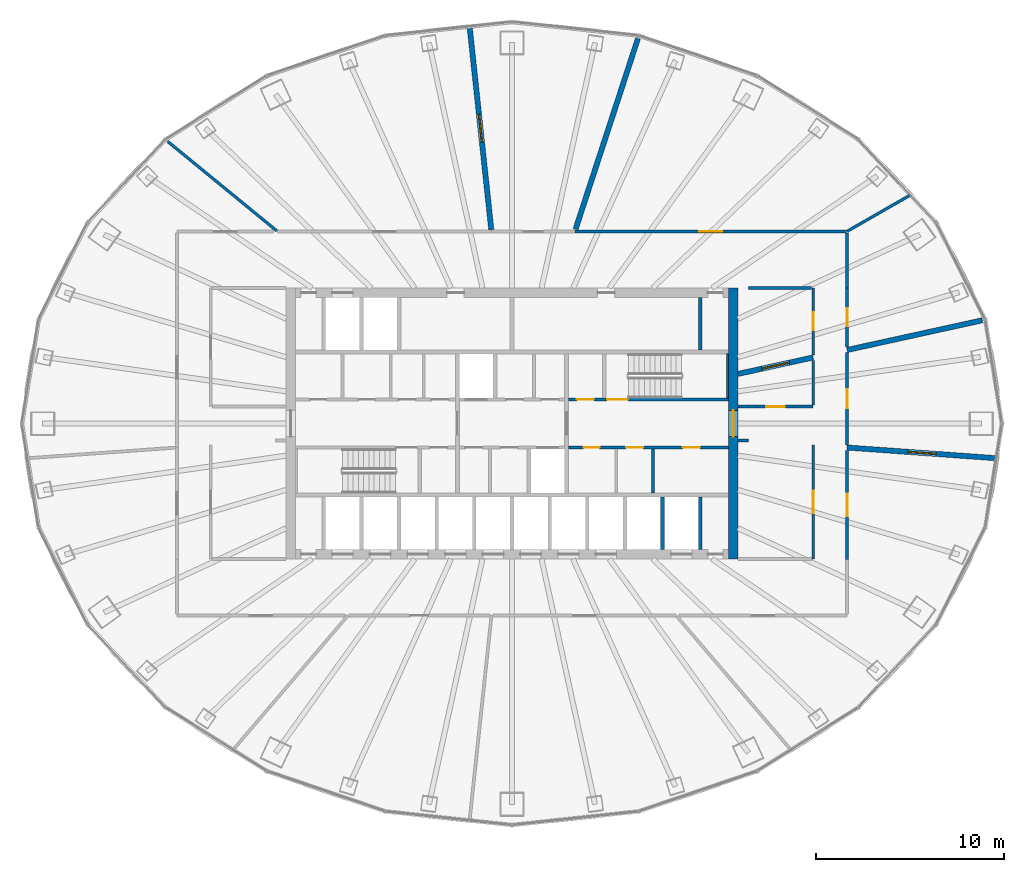
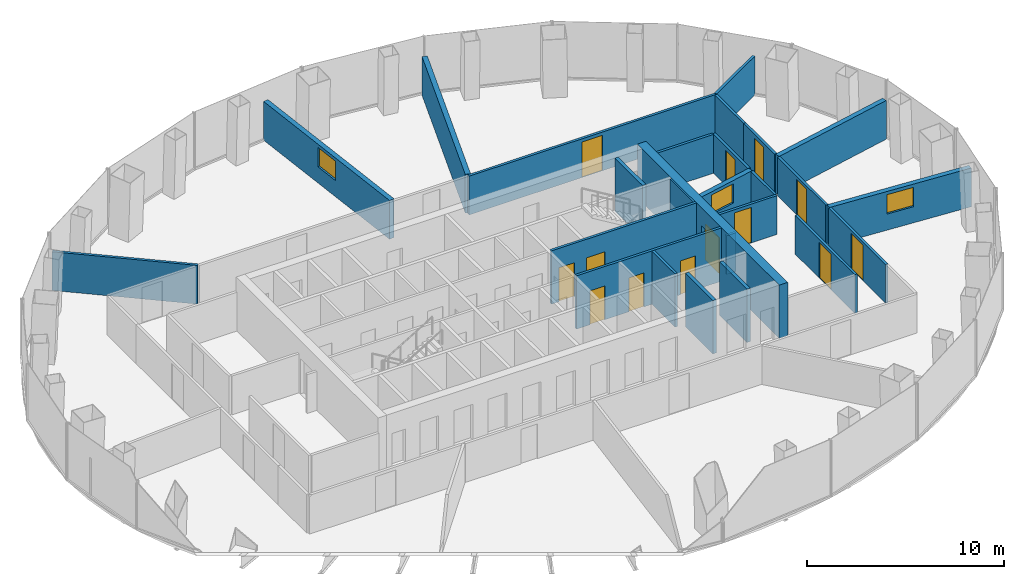
# One storey, part 10 of 12: 26 walls, 13 doors, 3 windows, 16 openings.
"""IFC4 building model written with IfcOpenShell, lengths in metres."""

from ifc_helpers import new_model, si_unit, direction, frame, frame_2d, origin, place, context, subcontext, project, spatial, rectangle, extrude, material, layer, layer_set, type_object, element, fill, save


model = new_model("IFC4")

# Units and contexts
model_context = context("Model", 3, precision=1e-05, world=origin(), true_north=direction((0.0, 1.0)))
body_context = subcontext(model_context, "Body", "Model", "MODEL_VIEW")
ifc_project = project(units=[si_unit("LENGTHUNIT", "METRE"), si_unit("AREAUNIT", "SQUARE_METRE"), si_unit("VOLUMEUNIT", "CUBIC_METRE"), si_unit("PLANEANGLEUNIT", "RADIAN"), si_unit("MASSUNIT", "GRAM", prefix="KILO")], contexts=[model_context])

# Site, building, storey
site_placement = place(None, origin())
site = spatial("IfcSite", under=ifc_project, at=site_placement, CompositionType="ELEMENT")
building_placement = place(site_placement, origin())
building = spatial("IfcBuilding", under=site, at=building_placement, Name="Siaravel Broadcast Tower", CompositionType="ELEMENT")
storey_placement = place(building_placement, frame((0.0, 0.0, 100.800048828125)))
storey = spatial("IfcBuildingStorey", under=building, at=storey_placement, Name="L23", CompositionType="ELEMENT", Elevation=100.800048828125)

# Wall, opening, window
ifc_material_1 = material(Name="Double-leaf acoustic partition", Category="gypsum")
ifc_layer_1 = layer(ifc_material_1, 0.280029296875)
ifc_layer_set_1 = layer_set([ifc_layer_1], Name="Double-leaf acoustic partition")
wall_type_1 = type_object("IfcWallType", Name="Acoustic double-leaf wall 280", PredefinedType="PARTITIONING", material=ifc_layer_set_1)
wall_1_placement = place(storey_placement, frame((-1.09912109375, 10.2919921875, 0.0), z_axis=(0.0, 0.0, 1.0), x_axis=(-0.106202827, 0.994344487, 0.0)))
wall_1 = element("IfcWall", 1, at=wall_1_placement, inside=storey, type_object=wall_type_1, Name="L23 partition 4", PredefinedType="PARTITIONING", context=body_context, shape_type="SweptSolid", body=[
    extrude(rectangle(XDim=10.857421875, YDim=0.280029296875, at=frame_2d((5.4287109375, 0.0))), origin(), (0.0, 0.0, 1.0), 2.39990234375),
])
opening_1_placement = place(wall_1_placement, frame((4.6787109375, 0.0, 1.0)))
opening_1 = element("IfcOpeningElement", 2, at=opening_1_placement, cuts=wall_1, Name="Opening L23-W03", PredefinedType="OPENING", context=body_context, shape_type="SweptSolid", body=[
    extrude(rectangle(XDim=1.5, YDim=1.199951171875, at=frame_2d((0.75, 0.60009765625))), frame((0.0, 0.14990234375, 0.0), z_axis=(0.0, -1.0, 0.0), x_axis=(1.0, 0.0, 0.0)), (0.0, 0.0, 1.0), 0.300048828125),
])
ifc_material_2 = material(Name="Laminated acoustic glass", Category="glass")
window_type = type_object("IfcWindowType", Name="Studio viewing window 1500", PartitioningType="SINGLE_PANEL", PredefinedType="WINDOW", material=ifc_material_2)
window_1_placement = place(opening_1_placement, origin())
window_1 = element("IfcWindow", 3, at=window_1_placement, inside=storey, type_object=window_type, Name="L23 viewing window to Viewing theatre", OverallHeight=1.199951171875, OverallWidth=1.5, PartitioningType="SINGLE_PANEL", PredefinedType="WINDOW", context=body_context, shape_type="SweptSolid", body=[
    extrude(rectangle(XDim=1.5, YDim=1.199951171875, at=frame_2d((0.75, 0.60009765625))), frame((0.0, 0.030029296875, 0.0), z_axis=(0.0, -1.0, 0.0), x_axis=(1.0, 0.0, 0.0)), (0.0, 0.0, 1.0), 0.06005859375),
])
fill(opening_1, window_1)

# Wall
wall_2_placement = place(storey_placement, frame((6.68896484375, 20.447998046875, 0.0), z_axis=(0.0, 0.0, 1.0), x_axis=(-0.310888923, -0.950446252, 0.0)))
element("IfcWall", 4, at=wall_2_placement, inside=storey, type_object=wall_type_1, Name="L23 partition 5", PredefinedType="PARTITIONING", context=body_context, shape_type="SweptSolid", body=[
    extrude(rectangle(XDim=10.65576171875, YDim=0.280029296875, at=frame_2d((5.327880859375, 0.0))), origin(), (0.0, 0.0, 1.0), 2.39990234375),
])

# Wall, opening, window
wall_3_placement = place(storey_placement, frame((25.77099609375, -1.8466796875, 0.0), z_axis=(0.0, 0.0, 1.0), x_axis=(-0.997443635, 0.071457645, 0.0)))
wall_3 = element("IfcWall", 5, at=wall_3_placement, inside=storey, type_object=wall_type_1, Name="L23 partition 12", PredefinedType="PARTITIONING", context=body_context, shape_type="SweptSolid", body=[
    extrude(rectangle(XDim=7.991455078125, YDim=0.280029296875, at=frame_2d((3.99560546875, 0.0))), origin(), (0.0, 0.0, 1.0), 2.39990234375),
])
opening_2_placement = place(wall_3_placement, frame((3.245849609375, 0.0, 1.0)))
opening_2 = element("IfcOpeningElement", 6, at=opening_2_placement, cuts=wall_3, Name="Opening L23-W02", PredefinedType="OPENING", context=body_context, shape_type="SweptSolid", body=[
    extrude(rectangle(XDim=1.5, YDim=1.199951171875, at=frame_2d((0.75, 0.60009765625))), frame((0.0, 0.14990234375, 0.0), z_axis=(0.0, -1.0, 0.0), x_axis=(1.0, 0.0, 0.0)), (0.0, 0.0, 1.0), 0.300048828125),
])
window_2_placement = place(opening_2_placement, origin())
window_2 = element("IfcWindow", 7, at=window_2_placement, inside=storey, type_object=window_type, Name="L23 viewing window to Viewing theatre", OverallHeight=1.199951171875, OverallWidth=1.5, PartitioningType="SINGLE_PANEL", PredefinedType="WINDOW", context=body_context, shape_type="SweptSolid", body=[
    extrude(rectangle(XDim=1.5, YDim=1.199951171875, at=frame_2d((0.75, 0.60009765625))), frame((0.0, 0.030029296875, 0.0), z_axis=(0.0, -1.0, 0.0), x_axis=(1.0, 0.0, 0.0)), (0.0, 0.0, 1.0), 0.06005859375),
])
fill(opening_2, window_2)

# Wall
wall_4_placement = place(storey_placement, frame((24.985595703125, 5.48388671875, 0.0), z_axis=(0.0, 0.0, 1.0), x_axis=(-0.976749089, -0.214385673, 0.0)))
element("IfcWall", 8, at=wall_4_placement, inside=storey, type_object=wall_type_1, Name="L23 partition 16", PredefinedType="PARTITIONING", context=body_context, shape_type="SweptSolid", body=[
    extrude(rectangle(XDim=7.356689453125, YDim=0.280029296875, at=frame_2d((3.67822265625, 0.0))), origin(), (0.0, 0.0, 1.0), 2.39990234375),
])

# Wall, opening, window
wall_5_placement = place(storey_placement, frame((16.0, 3.51171875, 0.0), z_axis=(0.0, 0.0, 1.0), x_axis=(-0.976750433, -0.214379551, 0.0)))
wall_5 = element("IfcWall", 9, at=wall_5_placement, inside=storey, type_object=wall_type_1, Name="L23 partition 25", PredefinedType="PARTITIONING", context=body_context, shape_type="SweptSolid", body=[
    extrude(rectangle(XDim=4.09521484375, YDim=0.280029296875, at=frame_2d((2.047607421875, 0.0))), origin(), (0.0, 0.0, 1.0), 2.39990234375),
])
opening_3_placement = place(wall_5_placement, frame((1.297607421875, 0.0, 1.0)))
opening_3 = element("IfcOpeningElement", 10, at=opening_3_placement, cuts=wall_5, Name="Opening L23-W01", PredefinedType="OPENING", context=body_context, shape_type="SweptSolid", body=[
    extrude(rectangle(XDim=1.5, YDim=1.199951171875, at=frame_2d((0.75, 0.60009765625))), frame((0.0, 0.14990234375, 0.0), z_axis=(0.0, -1.0, 0.0), x_axis=(1.0, 0.0, 0.0)), (0.0, 0.0, 1.0), 0.300048828125),
])
window_3_placement = place(opening_3_placement, origin())
window_3 = element("IfcWindow", 11, at=window_3_placement, inside=storey, type_object=window_type, Name="L23 viewing window to Viewing theatre", OverallHeight=1.199951171875, OverallWidth=1.5, PartitioningType="SINGLE_PANEL", PredefinedType="WINDOW", context=body_context, shape_type="SweptSolid", body=[
    extrude(rectangle(XDim=1.5, YDim=1.199951171875, at=frame_2d((0.75, 0.60009765625))), frame((0.0, 0.030029296875, 0.0), z_axis=(0.0, -1.0, 0.0), x_axis=(1.0, 0.0, 0.0)), (0.0, 0.0, 1.0), 0.06005859375),
])
fill(opening_3, window_3)

# Wall
ifc_material_3 = material(Name="Concrete blockwork", Category="masonry")
ifc_layer_2 = layer(ifc_material_3, 0.14990234375)
ifc_layer_set_2 = layer_set([ifc_layer_2], Name="Concrete blockwork")
wall_type_2 = type_object("IfcWallType", Name="Core partition 150", PredefinedType="PARTITIONING", material=ifc_layer_set_2)
wall_6_placement = place(storey_placement, frame((7.489013671875, -3.699951171875, 0.0), z_axis=(0.0, 0.0, 1.0), x_axis=(0.0, 1.0, 0.0)))
element("IfcWall", 12, at=wall_6_placement, inside=storey, type_object=wall_type_2, Name="L23 core partition PSE1", PredefinedType="PARTITIONING", context=body_context, shape_type="SweptSolid", body=[
    extrude(rectangle(XDim=2.349853515625, YDim=0.14990234375, at=frame_2d((1.1748046875, 0.0))), origin(), (0.0, 0.0, 1.0), 3.300048828125),
])

# Wall, opening, door
ifc_material_4 = material(Name="Concrete C60/75", Category="concrete")
ifc_layer_3 = layer(ifc_material_4, 0.5)
ifc_layer_set_3 = layer_set([ifc_layer_3], Name="Concrete C60/75")
wall_type_3 = type_object("IfcWallType", Name="Core wall 500", PredefinedType="SHEAR", material=ifc_layer_set_3)
wall_7_placement = place(storey_placement, frame((11.75, -7.199951171875, 0.0), z_axis=(0.0, 0.0, 1.0), x_axis=(0.0, 1.0, 0.0)))
wall_7 = element("IfcWall", 13, at=wall_7_placement, inside=storey, type_object=wall_type_3, Name="L23 core wall OE", PredefinedType="SHEAR", context=body_context, shape_type="SweptSolid", body=[
    extrude(rectangle(XDim=14.39990234375, YDim=0.5, at=frame_2d((7.199951171875, 0.0))), origin(), (0.0, 0.0, 1.0), 3.300048828125),
])
opening_4_placement = place(wall_7_placement, frame((6.5, 0.0, 0.0)))
opening_4 = element("IfcOpeningElement", 14, at=opening_4_placement, cuts=wall_7, Name="Opening L23-DX-E", PredefinedType="OPENING", context=body_context, shape_type="SweptSolid", body=[
    extrude(rectangle(XDim=1.39990234375, YDim=2.199951171875, at=frame_2d((0.699951171875, 1.10009765625))), frame((0.0, 0.260009765625, 0.0), z_axis=(0.0, -1.0, 0.0), x_axis=(1.0, 0.0, 0.0)), (0.0, 0.0, 1.0), 0.52001953125),
])
ifc_material_5 = material(Name="Steel", Category="steel")
door_type_1 = type_object("IfcDoorType", Name="Core exit door 1400", OperationType="DOUBLE_DOOR_SINGLE_SWING", PredefinedType="DOOR", material=ifc_material_5)
door_1_placement = place(opening_4_placement, origin())
door_1 = element("IfcDoor", 15, at=door_1_placement, inside=storey, type_object=door_type_1, Name="L23 door DX-E", OperationType="DOUBLE_DOOR_SINGLE_SWING", OverallHeight=2.199951171875, OverallWidth=1.39990234375, PredefinedType="DOOR", context=body_context, shape_type="SweptSolid", body=[
    extrude(rectangle(XDim=1.39990234375, YDim=2.199951171875, at=frame_2d((0.699951171875, 1.10009765625))), frame((0.0, 0.02490234375, 0.0), z_axis=(0.0, -1.0, 0.0), x_axis=(1.0, 0.0, 0.0)), (0.0, 0.0, 1.0), 0.050048828125),
])
fill(opening_4, door_1)

# Wall, openings, doors
ifc_material_6 = material(Name="Gypsum board partition", Category="gypsum")
ifc_layer_4 = layer(ifc_material_6, 0.14990234375)
ifc_layer_set_4 = layer_set([ifc_layer_4], Name="Gypsum board partition")
wall_type_4 = type_object("IfcWallType", Name="Corridor wall 150", PredefinedType="PARTITIONING", material=ifc_layer_set_4)
wall_8_placement = place(storey_placement, frame((3.0, -1.27490234375, 0.0), z_axis=(0.0, 0.0, 1.0), x_axis=(1.0, 0.0, 0.0)))
wall_8 = element("IfcWall", 16, at=wall_8_placement, inside=storey, type_object=wall_type_4, Name="L23 core partition CSE", PredefinedType="PARTITIONING", context=body_context, shape_type="SweptSolid", body=[
    extrude(rectangle(XDim=8.5, YDim=0.14990234375, at=frame_2d((4.25, 0.0))), origin(), (0.0, 0.0, 1.0), 3.300048828125),
])
opening_5_placement = place(wall_8_placement, frame((0.804931640625, 0.0, 0.0)))
opening_5 = element("IfcOpeningElement", 17, at=opening_5_placement, cuts=wall_8, Name="Opening L23-DSE0", PredefinedType="OPENING", context=body_context, shape_type="SweptSolid", body=[
    extrude(rectangle(XDim=0.85009765625, YDim=2.10009765625, at=frame_2d((0.425048828125, 1.050048828125))), frame((0.0, 0.0849609375, 0.0), z_axis=(0.0, -1.0, 0.0), x_axis=(1.0, 0.0, 0.0)), (0.0, 0.0, 1.0), 0.169921875),
])
opening_6_placement = place(wall_8_placement, frame((3.06201171875, 0.0, 0.0)))
opening_6 = element("IfcOpeningElement", 18, at=opening_6_placement, cuts=wall_8, Name="Opening L23-DSE1", PredefinedType="OPENING", context=body_context, shape_type="SweptSolid", body=[
    extrude(rectangle(XDim=0.89990234375, YDim=2.10009765625, at=frame_2d((0.449951171875, 1.050048828125))), frame((0.0, 0.0849609375, 0.0), z_axis=(0.0, -1.0, 0.0), x_axis=(1.0, 0.0, 0.0)), (0.0, 0.0, 1.0), 0.169921875),
])
opening_7_placement = place(wall_8_placement, frame((6.08203125, 0.0, 0.0)))
opening_7 = element("IfcOpeningElement", 19, at=opening_7_placement, cuts=wall_8, Name="Opening L23-DSE2", PredefinedType="OPENING", context=body_context, shape_type="SweptSolid", body=[
    extrude(rectangle(XDim=0.89990234375, YDim=2.10009765625, at=frame_2d((0.449951171875, 1.050048828125))), frame((0.0, 0.0849609375, 0.0), z_axis=(0.0, -1.0, 0.0), x_axis=(1.0, 0.0, 0.0)), (0.0, 0.0, 1.0), 0.169921875),
])
ifc_material_7 = material(Name="Timber veneer", Category="wood")
door_type_2 = type_object("IfcDoorType", Name="Core room door 900", OperationType="SINGLE_SWING_LEFT", PredefinedType="DOOR", material=ifc_material_7)
door_2_placement = place(opening_6_placement, origin())
door_2 = element("IfcDoor", 20, at=door_2_placement, inside=storey, type_object=door_type_2, Name="L23 door DSE1", OperationType="SINGLE_SWING_LEFT", OverallHeight=2.10009765625, OverallWidth=0.89990234375, PredefinedType="DOOR", context=body_context, shape_type="SweptSolid", body=[
    extrude(rectangle(XDim=0.89990234375, YDim=2.10009765625, at=frame_2d((0.449951171875, 1.050048828125))), frame((0.0, 0.02490234375, 0.0), z_axis=(0.0, -1.0, 0.0), x_axis=(1.0, 0.0, 0.0)), (0.0, 0.0, 1.0), 0.050048828125),
])
fill(opening_6, door_2)
door_3_placement = place(opening_7_placement, origin())
door_3 = element("IfcDoor", 21, at=door_3_placement, inside=storey, type_object=door_type_2, Name="L23 door DSE2", OperationType="SINGLE_SWING_LEFT", OverallHeight=2.10009765625, OverallWidth=0.89990234375, PredefinedType="DOOR", context=body_context, shape_type="SweptSolid", body=[
    extrude(rectangle(XDim=0.89990234375, YDim=2.10009765625, at=frame_2d((0.449951171875, 1.050048828125))), frame((0.0, 0.02490234375, 0.0), z_axis=(0.0, -1.0, 0.0), x_axis=(1.0, 0.0, 0.0)), (0.0, 0.0, 1.0), 0.050048828125),
])
fill(opening_7, door_3)
door_type_3 = type_object("IfcDoorType", Name="Core toilet door 850", OperationType="SINGLE_SWING_LEFT", PredefinedType="DOOR", material=ifc_material_7)
door_4_placement = place(opening_5_placement, origin())
door_4 = element("IfcDoor", 22, at=door_4_placement, inside=storey, type_object=door_type_3, Name="L23 door DSE0", OperationType="SINGLE_SWING_LEFT", OverallHeight=2.10009765625, OverallWidth=0.85009765625, PredefinedType="DOOR", context=body_context, shape_type="SweptSolid", body=[
    extrude(rectangle(XDim=0.85009765625, YDim=2.10009765625, at=frame_2d((0.425048828125, 1.050048828125))), frame((0.0, 0.02490234375, 0.0), z_axis=(0.0, -1.0, 0.0), x_axis=(1.0, 0.0, 0.0)), (0.0, 0.0, 1.0), 0.050048828125),
])
fill(opening_5, door_4)

# Wall, opening, door
wall_9_placement = place(storey_placement, frame((17.783935546875, 10.199951171875, 0.0), z_axis=(0.0, 0.0, 1.0), x_axis=(-1.0, 0.0, 0.0)))
wall_9 = element("IfcWall", 23, at=wall_9_placement, inside=storey, type_object=wall_type_4, Name="L23 partition 1", PredefinedType="PARTITIONING", context=body_context, shape_type="SweptSolid", body=[
    extrude(rectangle(XDim=14.447265625, YDim=0.14990234375, at=frame_2d((7.2236328125, 0.0))), origin(), (0.0, 0.0, 1.0), 2.39990234375),
])
opening_8_placement = place(wall_9_placement, frame((6.623779296875, 0.0, 0.0)))
opening_8 = element("IfcOpeningElement", 24, at=opening_8_placement, cuts=wall_9, Name="Opening L23-017", PredefinedType="OPENING", context=body_context, shape_type="SweptSolid", body=[
    extrude(rectangle(XDim=1.199951171875, YDim=2.199951171875, at=frame_2d((0.60009765625, 1.10009765625))), frame((0.0, 0.0849609375, 0.0), z_axis=(0.0, -1.0, 0.0), x_axis=(1.0, 0.0, 0.0)), (0.0, 0.0, 1.0), 0.169921875),
])
door_type_4 = type_object("IfcDoorType", Name="Office double door 1200", OperationType="DOUBLE_DOOR_SINGLE_SWING", PredefinedType="DOOR", material=ifc_material_7)
door_5_placement = place(opening_8_placement, origin())
door_5 = element("IfcDoor", 25, at=door_5_placement, inside=storey, type_object=door_type_4, Name="L23 door to Open plan production office", OperationType="DOUBLE_DOOR_SINGLE_SWING", OverallHeight=2.199951171875, OverallWidth=1.199951171875, PredefinedType="DOOR", context=body_context, shape_type="SweptSolid", body=[
    extrude(rectangle(XDim=1.199951171875, YDim=2.199951171875, at=frame_2d((0.60009765625, 1.10009765625))), frame((0.0, 0.02490234375, 0.0), z_axis=(0.0, -1.0, 0.0), x_axis=(1.0, 0.0, 0.0)), (0.0, 0.0, 1.0), 0.050048828125),
])
fill(opening_8, door_5)

wall_10_placement = place(storey_placement, frame((16.0, -1.146484375, 0.0), z_axis=(0.0, 0.0, 1.0), x_axis=(0.0, -1.0, 0.0)))
wall_10 = element("IfcWall", 26, at=wall_10_placement, inside=storey, type_object=wall_type_4, Name="L23 partition 19", PredefinedType="PARTITIONING", context=body_context, shape_type="SweptSolid", body=[
    extrude(rectangle(XDim=6.053466796875, YDim=0.14990234375, at=frame_2d((3.02685546875, 0.0))), origin(), (0.0, 0.0, 1.0), 2.39990234375),
])
opening_9_placement = place(wall_10_placement, frame((2.4267578125, 0.0, 0.0)))
opening_9 = element("IfcOpeningElement", 27, at=opening_9_placement, cuts=wall_10, Name="Opening L23-010", PredefinedType="OPENING", context=body_context, shape_type="SweptSolid", body=[
    extrude(rectangle(XDim=1.199951171875, YDim=2.199951171875, at=frame_2d((0.60009765625, 1.10009765625))), frame((0.0, 0.0849609375, 0.0), z_axis=(0.0, -1.0, 0.0), x_axis=(1.0, 0.0, 0.0)), (0.0, 0.0, 1.0), 0.169921875),
])
door_6_placement = place(opening_9_placement, origin())
door_6 = element("IfcDoor", 28, at=door_6_placement, inside=storey, type_object=door_type_4, Name="L23 door to Open plan production office", OperationType="DOUBLE_DOOR_SINGLE_SWING", OverallHeight=2.199951171875, OverallWidth=1.199951171875, PredefinedType="DOOR", context=body_context, shape_type="SweptSolid", body=[
    extrude(rectangle(XDim=1.199951171875, YDim=2.199951171875, at=frame_2d((0.60009765625, 1.10009765625))), frame((0.0, 0.02490234375, 0.0), z_axis=(0.0, -1.0, 0.0), x_axis=(1.0, 0.0, 0.0)), (0.0, 0.0, 1.0), 0.050048828125),
])
fill(opening_9, door_6)

wall_11_placement = place(storey_placement, frame((17.800048828125, -7.2119140625, 0.0), z_axis=(0.0, 0.0, 1.0), x_axis=(0.0, 1.0, 0.0)))
wall_11 = element("IfcWall", 29, at=wall_11_placement, inside=storey, type_object=wall_type_4, Name="L23 partition 21", PredefinedType="PARTITIONING", context=body_context, shape_type="SweptSolid", body=[
    extrude(rectangle(XDim=5.78857421875, YDim=0.14990234375, at=frame_2d((2.894287109375, 0.0))), origin(), (0.0, 0.0, 1.0), 2.39990234375),
])
opening_10_placement = place(wall_11_placement, frame((2.294189453125, 0.0, 0.0)))
opening_10 = element("IfcOpeningElement", 30, at=opening_10_placement, cuts=wall_11, Name="Opening L23-012", PredefinedType="OPENING", context=body_context, shape_type="SweptSolid", body=[
    extrude(rectangle(XDim=1.199951171875, YDim=2.199951171875, at=frame_2d((0.60009765625, 1.10009765625))), frame((0.0, 0.0849609375, 0.0), z_axis=(0.0, -1.0, 0.0), x_axis=(1.0, 0.0, 0.0)), (0.0, 0.0, 1.0), 0.169921875),
])
door_7_placement = place(opening_10_placement, origin())
door_7 = element("IfcDoor", 31, at=door_7_placement, inside=storey, type_object=door_type_4, Name="L23 door to Open plan production office", OperationType="DOUBLE_DOOR_SINGLE_SWING", OverallHeight=2.199951171875, OverallWidth=1.199951171875, PredefinedType="DOOR", context=body_context, shape_type="SweptSolid", body=[
    extrude(rectangle(XDim=1.199951171875, YDim=2.199951171875, at=frame_2d((0.60009765625, 1.10009765625))), frame((0.0, 0.02490234375, 0.0), z_axis=(0.0, -1.0, 0.0), x_axis=(1.0, 0.0, 0.0)), (0.0, 0.0, 1.0), 0.050048828125),
])
fill(opening_10, door_7)

wall_12_placement = place(storey_placement, frame((17.800048828125, -1.134033203125, 0.0), z_axis=(0.0, 0.0, 1.0), x_axis=(0.0, 1.0, 0.0)))
wall_12 = element("IfcWall", 32, at=wall_12_placement, inside=storey, type_object=wall_type_4, Name="L23 partition 23", PredefinedType="PARTITIONING", context=body_context, shape_type="SweptSolid", body=[
    extrude(rectangle(XDim=4.902099609375, YDim=0.14990234375, at=frame_2d((2.451171875, 0.0))), origin(), (0.0, 0.0, 1.0), 2.39990234375),
])
opening_11_placement = place(wall_12_placement, frame((1.950927734375, 0.0, 0.0)))
opening_11 = element("IfcOpeningElement", 33, at=opening_11_placement, cuts=wall_12, Name="Opening L23-014", PredefinedType="OPENING", context=body_context, shape_type="SweptSolid", body=[
    extrude(rectangle(XDim=1.0, YDim=2.199951171875, at=frame_2d((0.5, 1.10009765625))), frame((0.0, 0.0849609375, 0.0), z_axis=(0.0, -1.0, 0.0), x_axis=(1.0, 0.0, 0.0)), (0.0, 0.0, 1.0), 0.169921875),
])
ifc_material_8 = material(Name="Acoustic timber and steel", Category="steel")
door_type_5 = type_object("IfcDoorType", Name="Acoustic door 1000", OperationType="SINGLE_SWING_LEFT", PredefinedType="DOOR", material=ifc_material_8)
door_8_placement = place(opening_11_placement, origin())
door_8 = element("IfcDoor", 34, at=door_8_placement, inside=storey, type_object=door_type_5, Name="L23 door to Viewing theatre", OperationType="SINGLE_SWING_RIGHT", OverallHeight=2.199951171875, OverallWidth=1.0, PredefinedType="DOOR", context=body_context, shape_type="SweptSolid", body=[
    extrude(rectangle(XDim=1.0, YDim=2.199951171875, at=frame_2d((0.5, 1.10009765625))), frame((0.0, 0.02490234375, 0.0), z_axis=(0.0, -1.0, 0.0), x_axis=(1.0, 0.0, 0.0)), (0.0, 0.0, 1.0), 0.050048828125),
])
fill(opening_11, door_8)

wall_13_placement = place(storey_placement, frame((16.0, 0.89990234375, 0.0), z_axis=(0.0, 0.0, 1.0), x_axis=(-1.0, 0.0, 0.0)))
wall_13 = element("IfcWall", 35, at=wall_13_placement, inside=storey, type_object=wall_type_4, Name="L23 partition 30", PredefinedType="PARTITIONING", context=body_context, shape_type="SweptSolid", body=[
    extrude(rectangle(XDim=4.0, YDim=0.14990234375, at=frame_2d((2.0, 0.0))), origin(), (0.0, 0.0, 1.0), 2.39990234375),
])
opening_12_placement = place(wall_13_placement, frame((1.5, 0.0, 0.0)))
opening_12 = element("IfcOpeningElement", 36, at=opening_12_placement, cuts=wall_13, Name="Opening L23-013", PredefinedType="OPENING", context=body_context, shape_type="SweptSolid", body=[
    extrude(rectangle(XDim=1.0, YDim=2.199951171875, at=frame_2d((0.5, 1.10009765625))), frame((0.0, 0.0849609375, 0.0), z_axis=(0.0, -1.0, 0.0), x_axis=(1.0, 0.0, 0.0)), (0.0, 0.0, 1.0), 0.169921875),
])
door_9_placement = place(opening_12_placement, origin())
door_9 = element("IfcDoor", 37, at=door_9_placement, inside=storey, type_object=door_type_5, Name="L23 door to Viewing theatre", OperationType="SINGLE_SWING_LEFT", OverallHeight=2.199951171875, OverallWidth=1.0, PredefinedType="DOOR", context=body_context, shape_type="SweptSolid", body=[
    extrude(rectangle(XDim=1.0, YDim=2.199951171875, at=frame_2d((0.5, 1.10009765625))), frame((0.0, 0.02490234375, 0.0), z_axis=(0.0, -1.0, 0.0), x_axis=(1.0, 0.0, 0.0)), (0.0, 0.0, 1.0), 0.050048828125),
])
fill(opening_12, door_9)

wall_14_placement = place(storey_placement, frame((16.0, 7.199951171875, 0.0), z_axis=(0.0, 0.0, 1.0), x_axis=(0.0, -1.0, 0.0)))
wall_14 = element("IfcWall", 38, at=wall_14_placement, inside=storey, type_object=wall_type_4, Name="L23 partition 32", PredefinedType="PARTITIONING", context=body_context, shape_type="SweptSolid", body=[
    extrude(rectangle(XDim=3.549560546875, YDim=0.14990234375, at=frame_2d((1.77490234375, 0.0))), origin(), (0.0, 0.0, 1.0), 2.39990234375),
])
opening_13_placement = place(wall_14_placement, frame((1.2998046875, 0.0, 0.0)))
opening_13 = element("IfcOpeningElement", 39, at=opening_13_placement, cuts=wall_14, Name="Opening L23-015", PredefinedType="OPENING", context=body_context, shape_type="SweptSolid", body=[
    extrude(rectangle(XDim=0.949951171875, YDim=2.14990234375, at=frame_2d((0.47509765625, 1.074951171875))), frame((0.0, 0.0849609375, 0.0), z_axis=(0.0, -1.0, 0.0), x_axis=(1.0, 0.0, 0.0)), (0.0, 0.0, 1.0), 0.169921875),
])
door_type_6 = type_object("IfcDoorType", Name="Office door 950", OperationType="SINGLE_SWING_LEFT", PredefinedType="DOOR", material=ifc_material_7)
door_10_placement = place(opening_13_placement, origin())
door_10 = element("IfcDoor", 40, at=door_10_placement, inside=storey, type_object=door_type_6, Name="L23 door to Production office", OperationType="SINGLE_SWING_LEFT", OverallHeight=2.14990234375, OverallWidth=0.949951171875, PredefinedType="DOOR", context=body_context, shape_type="SweptSolid", body=[
    extrude(rectangle(XDim=0.949951171875, YDim=2.14990234375, at=frame_2d((0.47509765625, 1.074951171875))), frame((0.0, 0.02490234375, 0.0), z_axis=(0.0, -1.0, 0.0), x_axis=(1.0, 0.0, 0.0)), (0.0, 0.0, 1.0), 0.050048828125),
])
fill(opening_13, door_10)

# Wall
wall_15_placement = place(storey_placement, frame((12.553466796875, 7.199951171875, 0.0), z_axis=(0.0, 0.0, 1.0), x_axis=(1.0, 0.0, 0.0)))
element("IfcWall", 41, at=wall_15_placement, inside=storey, type_object=wall_type_4, Name="L23 partition 33", PredefinedType="PARTITIONING", context=body_context, shape_type="SweptSolid", body=[
    extrude(rectangle(XDim=3.36962890625, YDim=0.14990234375, at=frame_2d((1.684814453125, 0.0))), origin(), (0.0, 0.0, 1.0), 2.39990234375),
])

# Wall, opening, door
wall_16_placement = place(storey_placement, frame((17.800048828125, 4.068603515625, 0.0), z_axis=(0.0, 0.0, 1.0), x_axis=(0.0, 1.0, 0.0)))
wall_16 = element("IfcWall", 42, at=wall_16_placement, inside=storey, type_object=wall_type_4, Name="L23 partition 34", PredefinedType="PARTITIONING", context=body_context, shape_type="SweptSolid", body=[
    extrude(rectangle(XDim=3.143310546875, YDim=0.14990234375, at=frame_2d((1.57177734375, 0.0))), origin(), (0.0, 0.0, 1.0), 2.39990234375),
])
opening_14_placement = place(wall_16_placement, frame((1.0966796875, 0.0, 0.0)))
opening_14 = element("IfcOpeningElement", 43, at=opening_14_placement, cuts=wall_16, Name="Opening L23-016", PredefinedType="OPENING", context=body_context, shape_type="SweptSolid", body=[
    extrude(rectangle(XDim=0.949951171875, YDim=2.14990234375, at=frame_2d((0.47509765625, 1.074951171875))), frame((0.0, 0.0849609375, 0.0), z_axis=(0.0, -1.0, 0.0), x_axis=(1.0, 0.0, 0.0)), (0.0, 0.0, 1.0), 0.169921875),
])
door_11_placement = place(opening_14_placement, origin())
door_11 = element("IfcDoor", 44, at=door_11_placement, inside=storey, type_object=door_type_6, Name="L23 door to Production office", OperationType="SINGLE_SWING_RIGHT", OverallHeight=2.14990234375, OverallWidth=0.949951171875, PredefinedType="DOOR", context=body_context, shape_type="SweptSolid", body=[
    extrude(rectangle(XDim=0.949951171875, YDim=2.14990234375, at=frame_2d((0.47509765625, 1.074951171875))), frame((0.0, 0.02490234375, 0.0), z_axis=(0.0, -1.0, 0.0), x_axis=(1.0, 0.0, 0.0)), (0.0, 0.0, 1.0), 0.050048828125),
])
fill(opening_14, door_11)

# Walls
wall_17_placement = place(storey_placement, frame((17.800048828125, 7.212890625, 0.0), z_axis=(0.0, 0.0, 1.0), x_axis=(0.0, 1.0, 0.0)))
element("IfcWall", 45, at=wall_17_placement, inside=storey, type_object=wall_type_4, Name="L23 partition 35", PredefinedType="PARTITIONING", context=body_context, shape_type="SweptSolid", body=[
    extrude(rectangle(XDim=2.91015625, YDim=0.14990234375, at=frame_2d((1.455078125, 0.0))), origin(), (0.0, 0.0, 1.0), 2.39990234375),
])
wall_18_placement = place(storey_placement, frame((16.0, 3.349853515625, 0.0), z_axis=(0.0, 0.0, 1.0), x_axis=(0.0, -1.0, 0.0)))
element("IfcWall", 46, at=wall_18_placement, inside=storey, type_object=wall_type_4, Name="L23 partition 39", PredefinedType="PARTITIONING", context=body_context, shape_type="SweptSolid", body=[
    extrude(rectangle(XDim=2.372802734375, YDim=0.14990234375, at=frame_2d((1.1865234375, 0.0))), origin(), (0.0, 0.0, 1.0), 2.39990234375),
])
wall_19_placement = place(storey_placement, frame((12.0, -0.89990234375, 0.0), z_axis=(0.0, 0.0, 1.0), x_axis=(1.0, 0.0, 0.0)))
element("IfcWall", 47, at=wall_19_placement, inside=storey, type_object=wall_type_4, Name="L23 partition 41", PredefinedType="PARTITIONING", context=body_context, shape_type="SweptSolid", body=[
    extrude(rectangle(XDim=0.558837890625, YDim=0.14990234375, at=frame_2d((0.279296875, 0.0))), origin(), (0.0, 0.0, 1.0), 2.39990234375),
])
ifc_layer_5 = layer(ifc_material_6, 0.14990234375)
ifc_layer_set_5 = layer_set([ifc_layer_5], Name="Gypsum board partition")
wall_type_5 = type_object("IfcWallType", Name="Room partition 150", PredefinedType="PARTITIONING", material=ifc_layer_set_5)
wall_20_placement = place(storey_placement, frame((-18.283447265625, 14.976318359375, 0.0), z_axis=(0.0, 0.0, 1.0), x_axis=(0.773592541, -0.633683344, 0.0)))
element("IfcWall", 48, at=wall_20_placement, inside=storey, type_object=wall_type_5, Name="L23 partition 15", PredefinedType="PARTITIONING", context=body_context, shape_type="SweptSolid", body=[
    extrude(rectangle(XDim=7.48779296875, YDim=0.14990234375, at=frame_2d((3.743896484375, 0.0))), origin(), (0.0, 0.0, 1.0), 2.39990234375),
])
wall_21_placement = place(storey_placement, frame((21.1826171875, 12.149169921875, 0.0), z_axis=(0.0, 0.0, 1.0), x_axis=(-0.867451833, -0.497521173, 0.0)))
element("IfcWall", 49, at=wall_21_placement, inside=storey, type_object=wall_type_5, Name="L23 partition 31", PredefinedType="PARTITIONING", context=body_context, shape_type="SweptSolid", body=[
    extrude(rectangle(XDim=3.878662109375, YDim=0.14990234375, at=frame_2d((1.939453125, 0.0))), origin(), (0.0, 0.0, 1.0), 2.39990234375),
])
ifc_layer_6 = layer(ifc_material_4, 0.10009765625)
ifc_layer_set_6 = layer_set([ifc_layer_6], Name="Concrete C60/75")
wall_type_6 = type_object("IfcWallType", Name="Shaft wall 100", PredefinedType="SHEAR", material=ifc_layer_set_6)
wall_22_placement = place(storey_placement, frame((11.449951171875, 1.35009765625, 0.0), z_axis=(0.0, 0.0, 1.0), x_axis=(0.0, 1.0, 0.0)))
element("IfcWall", 50, at=wall_22_placement, inside=storey, type_object=wall_type_6, Name="L23 core wall ST2E", PredefinedType="SHEAR", context=body_context, shape_type="SweptSolid", body=[
    extrude(rectangle(XDim=2.349853515625, YDim=0.10009765625, at=frame_2d((1.1748046875, 0.0))), origin(), (0.0, 0.0, 1.0), 3.300048828125),
])

# Wall, openings, doors
ifc_layer_7 = layer(ifc_material_4, 0.14990234375)
ifc_layer_set_7 = layer_set([ifc_layer_7], Name="Concrete C60/75")
wall_type_7 = type_object("IfcWallType", Name="Shaft wall 150", PredefinedType="SHEAR", material=ifc_layer_set_7)
wall_23_placement = place(storey_placement, frame((3.0, 1.27490234375, 0.0), z_axis=(0.0, 0.0, 1.0), x_axis=(1.0, 0.0, 0.0)))
wall_23 = element("IfcWall", 51, at=wall_23_placement, inside=storey, type_object=wall_type_7, Name="L23 core wall CNE", PredefinedType="SHEAR", context=body_context, shape_type="SweptSolid", body=[
    extrude(rectangle(XDim=8.5, YDim=0.14990234375, at=frame_2d((4.25, 0.0))), origin(), (0.0, 0.0, 1.0), 3.300048828125),
])
opening_15_placement = place(wall_23_placement, frame((2.050048828125, 0.0, 0.0)))
opening_15 = element("IfcOpeningElement", 52, at=opening_15_placement, cuts=wall_23, Name="Opening L23-DS-2", PredefinedType="OPENING", context=body_context, shape_type="SweptSolid", body=[
    extrude(rectangle(XDim=1.10009765625, YDim=2.14990234375, at=frame_2d((0.550048828125, 1.074951171875))), frame((0.0, 0.0849609375, 0.0), z_axis=(0.0, -1.0, 0.0), x_axis=(1.0, 0.0, 0.0)), (0.0, 0.0, 1.0), 0.169921875),
])
opening_16_placement = place(wall_23_placement, frame((0.449951171875, 0.0, 0.0)))
opening_16 = element("IfcOpeningElement", 53, at=opening_16_placement, cuts=wall_23, Name="Opening L23-DNE0", PredefinedType="OPENING", context=body_context, shape_type="SweptSolid", body=[
    extrude(rectangle(XDim=0.89990234375, YDim=2.10009765625, at=frame_2d((0.449951171875, 1.050048828125))), frame((0.0, 0.0849609375, 0.0), z_axis=(0.0, -1.0, 0.0), x_axis=(1.0, 0.0, 0.0)), (0.0, 0.0, 1.0), 0.169921875),
])
door_12_placement = place(opening_16_placement, origin())
door_12 = element("IfcDoor", 54, at=door_12_placement, inside=storey, type_object=door_type_2, Name="L23 door DNE0", OperationType="SINGLE_SWING_LEFT", OverallHeight=2.10009765625, OverallWidth=0.89990234375, PredefinedType="DOOR", context=body_context, shape_type="SweptSolid", body=[
    extrude(rectangle(XDim=0.89990234375, YDim=2.10009765625, at=frame_2d((0.449951171875, 1.050048828125))), frame((0.0, 0.02490234375, 0.0), z_axis=(0.0, -1.0, 0.0), x_axis=(1.0, 0.0, 0.0)), (0.0, 0.0, 1.0), 0.050048828125),
])
fill(opening_16, door_12)
door_type_7 = type_object("IfcDoorType", Name="Stair door 1100", OperationType="SINGLE_SWING_LEFT", PredefinedType="DOOR", material=ifc_material_5)
door_13_placement = place(opening_15_placement, origin())
door_13 = element("IfcDoor", 55, at=door_13_placement, inside=storey, type_object=door_type_7, Name="L23 door DS-2", OperationType="SINGLE_SWING_LEFT", OverallHeight=2.14990234375, OverallWidth=1.10009765625, PredefinedType="DOOR", context=body_context, shape_type="SweptSolid", body=[
    extrude(rectangle(XDim=1.10009765625, YDim=2.14990234375, at=frame_2d((0.550048828125, 1.074951171875))), frame((0.0, 0.02490234375, 0.0), z_axis=(0.0, -1.0, 0.0), x_axis=(1.0, 0.0, 0.0)), (0.0, 0.0, 1.0), 0.050048828125),
])
fill(opening_15, door_13)

# Walls
ifc_layer_8 = layer(ifc_material_4, 0.199951171875)
ifc_layer_set_8 = layer_set([ifc_layer_8], Name="Concrete C60/75")
wall_type_8 = type_object("IfcWallType", Name="Shaft wall 200", PredefinedType="SHEAR", material=ifc_layer_set_8)
for number, where, z_axis, x_axis, name in (
    (56, (8.0, -6.699951171875, 0.0), (0.0, 0.0, 1.0), (0.0, 1.0, 0.0), "L23 core wall SWS9"),
    (57, (10.0, -6.699951171875, 0.0), (0.0, 0.0, 1.0), (0.0, 1.0, 0.0), "L23 core wall SWS10"),
    (58, (10.0, 3.89990234375, 0.0), (0.0, 0.0, 1.0), (0.0, 1.0, 0.0), "L23 core wall SWN10"),
):
    element("IfcWall", number, at=place(storey_placement, frame(where, z_axis=z_axis, x_axis=x_axis)), inside=storey, type_object=wall_type_8, Name=name, PredefinedType="SHEAR", context=body_context, shape_type="SweptSolid", body=[
        extrude(rectangle(XDim=2.800048828125, YDim=0.199951171875, at=frame_2d((1.39990234375, 0.0))), origin(), (0.0, 0.0, 1.0), 3.300048828125),
    ])

save(model, "model.ifc")
